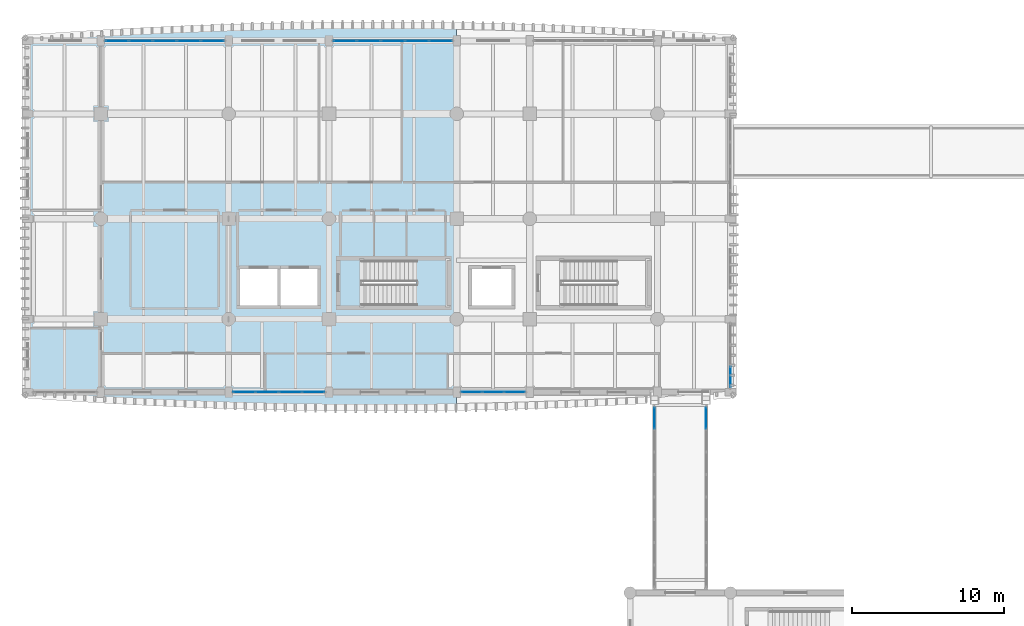
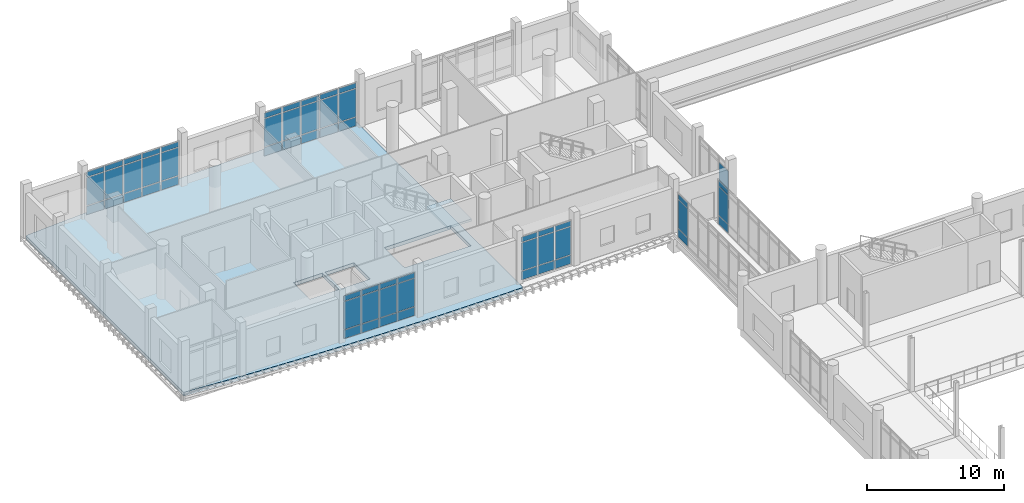
# One storey, part 52 of 101: 59 plates, 2 slabs, 8 elements without a shape of their own.
"""IFC4 building model written with IfcOpenShell, lengths in metres."""

from ifc_helpers import new_model, si_unit, direction, frame, origin, origin_2d, place, context, subcontext, project, spatial, polyline, rectangle, outline, extrude, material, layer, layer_set, type_object, element, aggregate, save


model = new_model("IFC4")

# Units and contexts
model_context = context("Model", 3, precision=1e-05, world=origin(), true_north=direction((0.0, 1.0)))
body_context = subcontext(model_context, "Body", "Model", "MODEL_VIEW")
ifc_project = project(units=[si_unit("LENGTHUNIT", "METRE"), si_unit("AREAUNIT", "SQUARE_METRE"), si_unit("VOLUMEUNIT", "CUBIC_METRE"), si_unit("PLANEANGLEUNIT", "RADIAN"), si_unit("MASSUNIT", "GRAM", prefix="KILO")], contexts=[model_context])

# Site, building, storey
site_placement = place(None, origin())
site = spatial("IfcSite", under=ifc_project, at=site_placement, CompositionType="ELEMENT")
building_placement = place(site_placement, origin())
building = spatial("IfcBuilding", under=site, at=building_placement, Name="Dornvale Research Institute", CompositionType="ELEMENT")
storey_placement = place(building_placement, frame((0.0, 0.0, 10.199951171875)))
storey = spatial("IfcBuildingStorey", under=building, at=storey_placement, Name="L02", CompositionType="ELEMENT", Elevation=10.199951171875)

# Curtain wall, plates
ifc_material_1 = material(Name="Low-E Argon Double Insulating Glazing Unit", Category="glass")
curtain_wall_type_1 = type_object("IfcCurtainWallType", Name="UnitisedCurtainWall_V5_7900x3950", PredefinedType="USERDEFINED", material=ifc_material_1)
curtain_wall_1_placement = place(storey_placement, origin())
curtain_wall_1 = element("IfcCurtainWall", 1, at=curtain_wall_1_placement, inside=storey, type_object=curtain_wall_type_1, Name="L02 V5 unitised curtain wall CW-24 #140", ObjectType="UNITISED CURTAIN WALL", PredefinedType="USERDEFINED")
ifc_material_2 = material(Name="Insulated Ceramic-Frit Spandrel Glass Panel", Category="glass")
ifc_layer_1 = layer(ifc_material_2, 0.0419921875)
ifc_layer_set_1 = layer_set([ifc_layer_1], Name="Insulated Ceramic-Frit Spandrel Glass Panel")
plate_type_1 = type_object("IfcPlateType", Name="CurtainPanel_Spandrel_42", PredefinedType="CURTAIN_PANEL", material=ifc_layer_set_1)
plate_1_placement = place(storey_placement, frame((5.856201171875, 122.10009765625, 0.065185546875), z_axis=(0.0, 0.0, 1.0), x_axis=(1.0, 0.0, 0.0)))
plate_1 = element("IfcPlate", 2, at=plate_1_placement, type_object=plate_type_1, Name="CW-24 panel 1.1", PredefinedType="CURTAIN_PANEL", context=body_context, shape_type="SweptSolid", body=[
    extrude(rectangle(XDim=1.482421875, YDim=0.0419921875, at=origin_2d()), origin(), (0.0, 0.0, 1.0), 0.75244140625),
])
plate_2_placement = place(storey_placement, frame((7.419921875, 122.10009765625, 0.065185546875), z_axis=(0.0, 0.0, 1.0), x_axis=(1.0, 0.0, 0.0)))
plate_2 = element("IfcPlate", 3, at=plate_2_placement, type_object=plate_type_1, Name="CW-24 panel 2.1", PredefinedType="CURTAIN_PANEL", context=body_context, shape_type="SweptSolid", body=[
    extrude(rectangle(XDim=1.514892578125, YDim=0.0419921875, at=origin_2d()), origin(), (0.0, 0.0, 1.0), 0.75244140625),
])
plate_3_placement = place(storey_placement, frame((9.0, 122.10009765625, 0.065185546875), z_axis=(0.0, 0.0, 1.0), x_axis=(1.0, 0.0, 0.0)))
plate_3 = element("IfcPlate", 4, at=plate_3_placement, type_object=plate_type_1, Name="CW-24 panel 3.1", PredefinedType="CURTAIN_PANEL", context=body_context, shape_type="SweptSolid", body=[
    extrude(rectangle(XDim=1.514892578125, YDim=0.0419921875, at=origin_2d()), origin(), (0.0, 0.0, 1.0), 0.75244140625),
])
plate_4_placement = place(storey_placement, frame((10.580078125, 122.10009765625, 0.065185546875), z_axis=(0.0, 0.0, 1.0), x_axis=(1.0, 0.0, 0.0)))
plate_4 = element("IfcPlate", 5, at=plate_4_placement, type_object=plate_type_1, Name="CW-24 panel 4.1", PredefinedType="CURTAIN_PANEL", context=body_context, shape_type="SweptSolid", body=[
    extrude(rectangle(XDim=1.514892578125, YDim=0.0419921875, at=origin_2d()), origin(), (0.0, 0.0, 1.0), 0.75244140625),
])
plate_5_placement = place(storey_placement, frame((12.143798828125, 122.10009765625, 0.065185546875), z_axis=(0.0, 0.0, 1.0), x_axis=(1.0, 0.0, 0.0)))
plate_5 = element("IfcPlate", 6, at=plate_5_placement, type_object=plate_type_1, Name="CW-24 panel 5.1", PredefinedType="CURTAIN_PANEL", context=body_context, shape_type="SweptSolid", body=[
    extrude(rectangle(XDim=1.482421875, YDim=0.0419921875, at=origin_2d()), origin(), (0.0, 0.0, 1.0), 0.75244140625),
])

curtain_wall_2_placement = place(storey_placement, origin())
curtain_wall_2 = element("IfcCurtainWall", 7, at=curtain_wall_2_placement, inside=storey, type_object=curtain_wall_type_1, Name="L02 V5 unitised curtain wall CW-24 #141", ObjectType="UNITISED CURTAIN WALL", PredefinedType="USERDEFINED")
plate_6_placement = place(storey_placement, frame((20.856201171875, 122.10009765625, 0.065185546875), z_axis=(0.0, 0.0, 1.0), x_axis=(1.0, 0.0, 0.0)))
plate_6 = element("IfcPlate", 8, at=plate_6_placement, type_object=plate_type_1, Name="CW-24 panel 1.1", PredefinedType="CURTAIN_PANEL", context=body_context, shape_type="SweptSolid", body=[
    extrude(rectangle(XDim=1.482421875, YDim=0.0419921875, at=origin_2d()), origin(), (0.0, 0.0, 1.0), 0.75244140625),
])
plate_7_placement = place(storey_placement, frame((22.419921875, 122.10009765625, 0.065185546875), z_axis=(0.0, 0.0, 1.0), x_axis=(1.0, 0.0, 0.0)))
plate_7 = element("IfcPlate", 9, at=plate_7_placement, type_object=plate_type_1, Name="CW-24 panel 2.1", PredefinedType="CURTAIN_PANEL", context=body_context, shape_type="SweptSolid", body=[
    extrude(rectangle(XDim=1.514892578125, YDim=0.0419921875, at=origin_2d()), origin(), (0.0, 0.0, 1.0), 0.75244140625),
])
plate_8_placement = place(storey_placement, frame((24.0, 122.10009765625, 0.065185546875), z_axis=(0.0, 0.0, 1.0), x_axis=(1.0, 0.0, 0.0)))
plate_8 = element("IfcPlate", 10, at=plate_8_placement, type_object=plate_type_1, Name="CW-24 panel 3.1", PredefinedType="CURTAIN_PANEL", context=body_context, shape_type="SweptSolid", body=[
    extrude(rectangle(XDim=1.514892578125, YDim=0.0419921875, at=origin_2d()), origin(), (0.0, 0.0, 1.0), 0.75244140625),
])
plate_9_placement = place(storey_placement, frame((25.580078125, 122.10009765625, 0.065185546875), z_axis=(0.0, 0.0, 1.0), x_axis=(1.0, 0.0, 0.0)))
plate_9 = element("IfcPlate", 11, at=plate_9_placement, type_object=plate_type_1, Name="CW-24 panel 4.1", PredefinedType="CURTAIN_PANEL", context=body_context, shape_type="SweptSolid", body=[
    extrude(rectangle(XDim=1.514892578125, YDim=0.0419921875, at=origin_2d()), origin(), (0.0, 0.0, 1.0), 0.75244140625),
])
plate_10_placement = place(storey_placement, frame((27.143798828125, 122.10009765625, 0.065185546875), z_axis=(0.0, 0.0, 1.0), x_axis=(1.0, 0.0, 0.0)))
plate_10 = element("IfcPlate", 12, at=plate_10_placement, type_object=plate_type_1, Name="CW-24 panel 5.1", PredefinedType="CURTAIN_PANEL", context=body_context, shape_type="SweptSolid", body=[
    extrude(rectangle(XDim=1.482421875, YDim=0.0419921875, at=origin_2d()), origin(), (0.0, 0.0, 1.0), 0.75244140625),
])

# Curtain wall, plate
ifc_material_3 = material(Name="Low-E Argon Double Insulating Glazing Unit", Category="glass")
curtain_wall_type_2 = type_object("IfcCurtainWallType", Name="UnitisedCurtainWall_V5_4300x3950", PredefinedType="USERDEFINED", material=ifc_material_3)
curtain_wall_3_placement = place(storey_placement, origin())
curtain_wall_3 = element("IfcCurtainWall", 13, at=curtain_wall_3_placement, inside=storey, type_object=curtain_wall_type_2, Name="L02 V5 unitised curtain wall CW-25 #144", ObjectType="UNITISED CURTAIN WALL", PredefinedType="USERDEFINED")
plate_11_placement = place(storey_placement, frame((46.199951171875, 99.98291015625, 0.065185546875), z_axis=(0.0, 0.0, 1.0), x_axis=(0.0, -1.0, 0.0)))
plate_11 = element("IfcPlate", 14, at=plate_11_placement, type_object=plate_type_1, Name="CW-25 panel 3.1", PredefinedType="CURTAIN_PANEL", context=body_context, shape_type="SweptSolid", body=[
    extrude(rectangle(XDim=1.3359375, YDim=0.0419921875, at=origin_2d()), origin(), (0.0, 0.0, 1.0), 0.75244140625),
])

# Curtain wall, plates
curtain_wall_4_placement = place(storey_placement, origin())
curtain_wall_4 = element("IfcCurtainWall", 15, at=curtain_wall_4_placement, inside=storey, type_object=curtain_wall_type_2, Name="L02 V5 unitised curtain wall CW-25 #145", ObjectType="UNITISED CURTAIN WALL", PredefinedType="USERDEFINED")
plate_12_placement = place(storey_placement, frame((32.01708984375, 99.0, 0.065185546875), z_axis=(0.0, 0.0, 1.0), x_axis=(-1.0, 0.0, 0.0)))
plate_12 = element("IfcPlate", 16, at=plate_12_placement, type_object=plate_type_1, Name="CW-25 panel 1.1", PredefinedType="CURTAIN_PANEL", context=body_context, shape_type="SweptSolid", body=[
    extrude(rectangle(XDim=1.3359375, YDim=0.0419921875, at=origin_2d()), origin(), (0.0, 0.0, 1.0), 0.75244140625),
])
plate_13_placement = place(storey_placement, frame((30.60009765625, 99.0, 0.065185546875), z_axis=(0.0, 0.0, 1.0), x_axis=(-1.0, 0.0, 0.0)))
plate_13 = element("IfcPlate", 17, at=plate_13_placement, type_object=plate_type_1, Name="CW-25 panel 2.1", PredefinedType="CURTAIN_PANEL", context=body_context, shape_type="SweptSolid", body=[
    extrude(rectangle(XDim=1.368408203125, YDim=0.0419921875, at=origin_2d()), origin(), (0.0, 0.0, 1.0), 0.75244140625),
])
plate_14_placement = place(storey_placement, frame((29.182861328125, 99.0, 0.065185546875), z_axis=(0.0, 0.0, 1.0), x_axis=(-1.0, 0.0, 0.0)))
plate_14 = element("IfcPlate", 18, at=plate_14_placement, type_object=plate_type_1, Name="CW-25 panel 3.1", PredefinedType="CURTAIN_PANEL", context=body_context, shape_type="SweptSolid", body=[
    extrude(rectangle(XDim=1.3359375, YDim=0.0419921875, at=origin_2d()), origin(), (0.0, 0.0, 1.0), 0.75244140625),
])

ifc_material_4 = material(Name="Low-E Argon Double Insulating Glazing Unit", Category="glass")
curtain_wall_type_3 = type_object("IfcCurtainWallType", Name="UnitisedCurtainWall_V5_6100x3950", PredefinedType="USERDEFINED", material=ifc_material_4)
curtain_wall_5_placement = place(storey_placement, origin())
curtain_wall_5 = element("IfcCurtainWall", 19, at=curtain_wall_5_placement, inside=storey, type_object=curtain_wall_type_3, Name="L02 V5 unitised curtain wall CW-26 #146", ObjectType="UNITISED CURTAIN WALL", PredefinedType="USERDEFINED")
plate_15_placement = place(storey_placement, frame((18.771240234375, 99.0, 0.065185546875), z_axis=(0.0, 0.0, 1.0), x_axis=(-1.0, 0.0, 0.0)))
plate_15 = element("IfcPlate", 20, at=plate_15_placement, type_object=plate_type_1, Name="CW-26 panel 1.1", PredefinedType="CURTAIN_PANEL", context=body_context, shape_type="SweptSolid", body=[
    extrude(rectangle(XDim=1.427490234375, YDim=0.0419921875, at=origin_2d()), origin(), (0.0, 0.0, 1.0), 0.75244140625),
])
plate_16_placement = place(storey_placement, frame((17.262451171875, 99.0, 0.065185546875), z_axis=(0.0, 0.0, 1.0), x_axis=(-1.0, 0.0, 0.0)))
plate_16 = element("IfcPlate", 21, at=plate_16_placement, type_object=plate_type_1, Name="CW-26 panel 2.1", PredefinedType="CURTAIN_PANEL", context=body_context, shape_type="SweptSolid", body=[
    extrude(rectangle(XDim=1.4599609375, YDim=0.0419921875, at=origin_2d()), origin(), (0.0, 0.0, 1.0), 0.75244140625),
])
plate_17_placement = place(storey_placement, frame((15.737548828125, 99.0, 0.065185546875), z_axis=(0.0, 0.0, 1.0), x_axis=(-1.0, 0.0, 0.0)))
plate_17 = element("IfcPlate", 22, at=plate_17_placement, type_object=plate_type_1, Name="CW-26 panel 3.1", PredefinedType="CURTAIN_PANEL", context=body_context, shape_type="SweptSolid", body=[
    extrude(rectangle(XDim=1.4599609375, YDim=0.0419921875, at=origin_2d()), origin(), (0.0, 0.0, 1.0), 0.75244140625),
])
plate_18_placement = place(storey_placement, frame((14.228759765625, 99.0, 0.065185546875), z_axis=(0.0, 0.0, 1.0), x_axis=(-1.0, 0.0, 0.0)))
plate_18 = element("IfcPlate", 23, at=plate_18_placement, type_object=plate_type_1, Name="CW-26 panel 4.1", PredefinedType="CURTAIN_PANEL", context=body_context, shape_type="SweptSolid", body=[
    extrude(rectangle(XDim=1.427490234375, YDim=0.0419921875, at=origin_2d()), origin(), (0.0, 0.0, 1.0), 0.75244140625),
])

# Curtain wall, plate
ifc_material_5 = material(Name="Low-E Argon Double Insulating Glazing Unit", Category="glass")
curtain_wall_type_4 = type_object("IfcCurtainWallType", Name="UnitisedCurtainWall_V2_11900x4000", PredefinedType="USERDEFINED", material=ifc_material_5)
curtain_wall_6_placement = place(storey_placement, origin())
curtain_wall_6 = element("IfcCurtainWall", 24, at=curtain_wall_6_placement, inside=storey, type_object=curtain_wall_type_4, Name="L02 V2 unitised curtain wall CW-40 #209", ObjectType="UNITISED CURTAIN WALL", PredefinedType="USERDEFINED")
plate_19_placement = place(storey_placement, frame((41.199951171875, 97.2900390625, 0.065185546875), z_axis=(0.0, 0.0, 1.0), x_axis=(0.0, 1.0, 0.0)))
plate_19 = element("IfcPlate", 25, at=plate_19_placement, type_object=plate_type_1, Name="CW-40 panel 8.1", PredefinedType="CURTAIN_PANEL", context=body_context, shape_type="SweptSolid", body=[
    extrude(rectangle(XDim=1.389892578125, YDim=0.0419921875, at=origin_2d()), origin(), (0.0, 0.0, 1.0), 0.75244140625),
])

curtain_wall_7_placement = place(storey_placement, origin())
curtain_wall_7 = element("IfcCurtainWall", 26, at=curtain_wall_7_placement, inside=storey, type_object=curtain_wall_type_4, Name="L02 V2 unitised curtain wall CW-40 #210", ObjectType="UNITISED CURTAIN WALL", PredefinedType="USERDEFINED")
plate_20_placement = place(storey_placement, frame((44.60009765625, 97.2900390625, 0.065185546875), z_axis=(0.0, 0.0, 1.0), x_axis=(0.0, -1.0, 0.0)))
plate_20 = element("IfcPlate", 27, at=plate_20_placement, type_object=plate_type_1, Name="CW-40 panel 1.1", PredefinedType="CURTAIN_PANEL", context=body_context, shape_type="SweptSolid", body=[
    extrude(rectangle(XDim=1.389892578125, YDim=0.0419921875, at=origin_2d()), origin(), (0.0, 0.0, 1.0), 0.75244140625),
])

# Plate
ifc_material_6 = material(Name="Low-E Argon Double Insulating Glazing Unit", Category="glass")
ifc_layer_2 = layer(ifc_material_6, 0.028076171875)
ifc_layer_set_2 = layer_set([ifc_layer_2], Name="Low-E Argon Double Insulating Glazing Unit")
plate_type_2 = type_object("IfcPlateType", Name="CurtainPanel_Vision_28", PredefinedType="CURTAIN_PANEL", material=ifc_layer_set_2)
plate_21_placement = place(storey_placement, frame((5.856201171875, 122.10009765625, 0.88232421875), z_axis=(0.0, 0.0, 1.0), x_axis=(1.0, 0.0, 0.0)))
plate_21 = element("IfcPlate", 28, at=plate_21_placement, type_object=plate_type_2, Name="CW-24 panel 1.2", PredefinedType="CURTAIN_PANEL", context=body_context, shape_type="SweptSolid", body=[
    extrude(rectangle(XDim=1.482421875, YDim=0.028076171875, at=origin_2d()), origin(), (0.0, 0.0, 1.0), 2.485107421875),
])

plate_22_placement = place(storey_placement, frame((5.856201171875, 122.10009765625, 3.4326171875), z_axis=(0.0, 0.0, 1.0), x_axis=(1.0, 0.0, 0.0)))
plate_22 = element("IfcPlate", 29, at=plate_22_placement, type_object=plate_type_2, Name="CW-24 panel 1.3", PredefinedType="CURTAIN_PANEL", context=body_context, shape_type="SweptSolid", body=[
    extrude(rectangle(XDim=1.482421875, YDim=0.028076171875, at=origin_2d()), origin(), (0.0, 0.0, 1.0), 0.452392578125),
])

plate_23_placement = place(storey_placement, frame((7.419921875, 122.10009765625, 0.88232421875), z_axis=(0.0, 0.0, 1.0), x_axis=(1.0, 0.0, 0.0)))
plate_23 = element("IfcPlate", 30, at=plate_23_placement, type_object=plate_type_2, Name="CW-24 panel 2.2", PredefinedType="CURTAIN_PANEL", context=body_context, shape_type="SweptSolid", body=[
    extrude(rectangle(XDim=1.514892578125, YDim=0.028076171875, at=origin_2d()), origin(), (0.0, 0.0, 1.0), 2.485107421875),
])

plate_24_placement = place(storey_placement, frame((7.419921875, 122.10009765625, 3.4326171875), z_axis=(0.0, 0.0, 1.0), x_axis=(1.0, 0.0, 0.0)))
plate_24 = element("IfcPlate", 31, at=plate_24_placement, type_object=plate_type_2, Name="CW-24 panel 2.3", PredefinedType="CURTAIN_PANEL", context=body_context, shape_type="SweptSolid", body=[
    extrude(rectangle(XDim=1.514892578125, YDim=0.028076171875, at=origin_2d()), origin(), (0.0, 0.0, 1.0), 0.452392578125),
])

plate_25_placement = place(storey_placement, frame((9.0, 122.10009765625, 0.88232421875), z_axis=(0.0, 0.0, 1.0), x_axis=(1.0, 0.0, 0.0)))
plate_25 = element("IfcPlate", 32, at=plate_25_placement, type_object=plate_type_2, Name="CW-24 panel 3.2", PredefinedType="CURTAIN_PANEL", context=body_context, shape_type="SweptSolid", body=[
    extrude(rectangle(XDim=1.514892578125, YDim=0.028076171875, at=origin_2d()), origin(), (0.0, 0.0, 1.0), 2.485107421875),
])

plate_26_placement = place(storey_placement, frame((9.0, 122.10009765625, 3.4326171875), z_axis=(0.0, 0.0, 1.0), x_axis=(1.0, 0.0, 0.0)))
plate_26 = element("IfcPlate", 33, at=plate_26_placement, type_object=plate_type_2, Name="CW-24 panel 3.3", PredefinedType="CURTAIN_PANEL", context=body_context, shape_type="SweptSolid", body=[
    extrude(rectangle(XDim=1.514892578125, YDim=0.028076171875, at=origin_2d()), origin(), (0.0, 0.0, 1.0), 0.452392578125),
])

plate_27_placement = place(storey_placement, frame((10.580078125, 122.10009765625, 0.88232421875), z_axis=(0.0, 0.0, 1.0), x_axis=(1.0, 0.0, 0.0)))
plate_27 = element("IfcPlate", 34, at=plate_27_placement, type_object=plate_type_2, Name="CW-24 panel 4.2", PredefinedType="CURTAIN_PANEL", context=body_context, shape_type="SweptSolid", body=[
    extrude(rectangle(XDim=1.514892578125, YDim=0.028076171875, at=origin_2d()), origin(), (0.0, 0.0, 1.0), 2.485107421875),
])

plate_28_placement = place(storey_placement, frame((10.580078125, 122.10009765625, 3.4326171875), z_axis=(0.0, 0.0, 1.0), x_axis=(1.0, 0.0, 0.0)))
plate_28 = element("IfcPlate", 35, at=plate_28_placement, type_object=plate_type_2, Name="CW-24 panel 4.3", PredefinedType="CURTAIN_PANEL", context=body_context, shape_type="SweptSolid", body=[
    extrude(rectangle(XDim=1.514892578125, YDim=0.028076171875, at=origin_2d()), origin(), (0.0, 0.0, 1.0), 0.452392578125),
])

plate_29_placement = place(storey_placement, frame((12.143798828125, 122.10009765625, 0.88232421875), z_axis=(0.0, 0.0, 1.0), x_axis=(1.0, 0.0, 0.0)))
plate_29 = element("IfcPlate", 36, at=plate_29_placement, type_object=plate_type_2, Name="CW-24 panel 5.2", PredefinedType="CURTAIN_PANEL", context=body_context, shape_type="SweptSolid", body=[
    extrude(rectangle(XDim=1.482421875, YDim=0.028076171875, at=origin_2d()), origin(), (0.0, 0.0, 1.0), 2.485107421875),
])

plate_30_placement = place(storey_placement, frame((12.143798828125, 122.10009765625, 3.4326171875), z_axis=(0.0, 0.0, 1.0), x_axis=(1.0, 0.0, 0.0)))
plate_30 = element("IfcPlate", 37, at=plate_30_placement, type_object=plate_type_2, Name="CW-24 panel 5.3", PredefinedType="CURTAIN_PANEL", context=body_context, shape_type="SweptSolid", body=[
    extrude(rectangle(XDim=1.482421875, YDim=0.028076171875, at=origin_2d()), origin(), (0.0, 0.0, 1.0), 0.452392578125),
])

aggregate(curtain_wall_1, [plate_1, plate_21, plate_22, plate_2, plate_23, plate_24, plate_3, plate_25, plate_26, plate_4, plate_27, plate_28, plate_5, plate_29, plate_30])

plate_31_placement = place(storey_placement, frame((20.856201171875, 122.10009765625, 0.88232421875), z_axis=(0.0, 0.0, 1.0), x_axis=(1.0, 0.0, 0.0)))
plate_31 = element("IfcPlate", 38, at=plate_31_placement, type_object=plate_type_2, Name="CW-24 panel 1.2", PredefinedType="CURTAIN_PANEL", context=body_context, shape_type="SweptSolid", body=[
    extrude(rectangle(XDim=1.482421875, YDim=0.028076171875, at=origin_2d()), origin(), (0.0, 0.0, 1.0), 2.485107421875),
])

plate_32_placement = place(storey_placement, frame((20.856201171875, 122.10009765625, 3.4326171875), z_axis=(0.0, 0.0, 1.0), x_axis=(1.0, 0.0, 0.0)))
plate_32 = element("IfcPlate", 39, at=plate_32_placement, type_object=plate_type_2, Name="CW-24 panel 1.3", PredefinedType="CURTAIN_PANEL", context=body_context, shape_type="SweptSolid", body=[
    extrude(rectangle(XDim=1.482421875, YDim=0.028076171875, at=origin_2d()), origin(), (0.0, 0.0, 1.0), 0.452392578125),
])

plate_33_placement = place(storey_placement, frame((22.419921875, 122.10009765625, 0.88232421875), z_axis=(0.0, 0.0, 1.0), x_axis=(1.0, 0.0, 0.0)))
plate_33 = element("IfcPlate", 40, at=plate_33_placement, type_object=plate_type_2, Name="CW-24 panel 2.2", PredefinedType="CURTAIN_PANEL", context=body_context, shape_type="SweptSolid", body=[
    extrude(rectangle(XDim=1.514892578125, YDim=0.028076171875, at=origin_2d()), origin(), (0.0, 0.0, 1.0), 2.485107421875),
])

plate_34_placement = place(storey_placement, frame((22.419921875, 122.10009765625, 3.4326171875), z_axis=(0.0, 0.0, 1.0), x_axis=(1.0, 0.0, 0.0)))
plate_34 = element("IfcPlate", 41, at=plate_34_placement, type_object=plate_type_2, Name="CW-24 panel 2.3", PredefinedType="CURTAIN_PANEL", context=body_context, shape_type="SweptSolid", body=[
    extrude(rectangle(XDim=1.514892578125, YDim=0.028076171875, at=origin_2d()), origin(), (0.0, 0.0, 1.0), 0.452392578125),
])

plate_35_placement = place(storey_placement, frame((24.0, 122.10009765625, 0.88232421875), z_axis=(0.0, 0.0, 1.0), x_axis=(1.0, 0.0, 0.0)))
plate_35 = element("IfcPlate", 42, at=plate_35_placement, type_object=plate_type_2, Name="CW-24 panel 3.2", PredefinedType="CURTAIN_PANEL", context=body_context, shape_type="SweptSolid", body=[
    extrude(rectangle(XDim=1.514892578125, YDim=0.028076171875, at=origin_2d()), origin(), (0.0, 0.0, 1.0), 2.485107421875),
])

plate_36_placement = place(storey_placement, frame((24.0, 122.10009765625, 3.4326171875), z_axis=(0.0, 0.0, 1.0), x_axis=(1.0, 0.0, 0.0)))
plate_36 = element("IfcPlate", 43, at=plate_36_placement, type_object=plate_type_2, Name="CW-24 panel 3.3", PredefinedType="CURTAIN_PANEL", context=body_context, shape_type="SweptSolid", body=[
    extrude(rectangle(XDim=1.514892578125, YDim=0.028076171875, at=origin_2d()), origin(), (0.0, 0.0, 1.0), 0.452392578125),
])

plate_37_placement = place(storey_placement, frame((25.580078125, 122.10009765625, 0.88232421875), z_axis=(0.0, 0.0, 1.0), x_axis=(1.0, 0.0, 0.0)))
plate_37 = element("IfcPlate", 44, at=plate_37_placement, type_object=plate_type_2, Name="CW-24 panel 4.2", PredefinedType="CURTAIN_PANEL", context=body_context, shape_type="SweptSolid", body=[
    extrude(rectangle(XDim=1.514892578125, YDim=0.028076171875, at=origin_2d()), origin(), (0.0, 0.0, 1.0), 2.485107421875),
])

plate_38_placement = place(storey_placement, frame((25.580078125, 122.10009765625, 3.4326171875), z_axis=(0.0, 0.0, 1.0), x_axis=(1.0, 0.0, 0.0)))
plate_38 = element("IfcPlate", 45, at=plate_38_placement, type_object=plate_type_2, Name="CW-24 panel 4.3", PredefinedType="CURTAIN_PANEL", context=body_context, shape_type="SweptSolid", body=[
    extrude(rectangle(XDim=1.514892578125, YDim=0.028076171875, at=origin_2d()), origin(), (0.0, 0.0, 1.0), 0.452392578125),
])

plate_39_placement = place(storey_placement, frame((27.143798828125, 122.10009765625, 0.88232421875), z_axis=(0.0, 0.0, 1.0), x_axis=(1.0, 0.0, 0.0)))
plate_39 = element("IfcPlate", 46, at=plate_39_placement, type_object=plate_type_2, Name="CW-24 panel 5.2", PredefinedType="CURTAIN_PANEL", context=body_context, shape_type="SweptSolid", body=[
    extrude(rectangle(XDim=1.482421875, YDim=0.028076171875, at=origin_2d()), origin(), (0.0, 0.0, 1.0), 2.485107421875),
])

plate_40_placement = place(storey_placement, frame((27.143798828125, 122.10009765625, 3.4326171875), z_axis=(0.0, 0.0, 1.0), x_axis=(1.0, 0.0, 0.0)))
plate_40 = element("IfcPlate", 47, at=plate_40_placement, type_object=plate_type_2, Name="CW-24 panel 5.3", PredefinedType="CURTAIN_PANEL", context=body_context, shape_type="SweptSolid", body=[
    extrude(rectangle(XDim=1.482421875, YDim=0.028076171875, at=origin_2d()), origin(), (0.0, 0.0, 1.0), 0.452392578125),
])

aggregate(curtain_wall_2, [plate_6, plate_31, plate_32, plate_7, plate_33, plate_34, plate_8, plate_35, plate_36, plate_9, plate_37, plate_38, plate_10, plate_39, plate_40])

plate_41_placement = place(storey_placement, frame((46.199951171875, 99.98291015625, 0.88232421875), z_axis=(0.0, 0.0, 1.0), x_axis=(0.0, -1.0, 0.0)))
plate_41 = element("IfcPlate", 48, at=plate_41_placement, type_object=plate_type_2, Name="CW-25 panel 3.2", PredefinedType="CURTAIN_PANEL", context=body_context, shape_type="SweptSolid", body=[
    extrude(rectangle(XDim=1.3359375, YDim=0.028076171875, at=origin_2d()), origin(), (0.0, 0.0, 1.0), 2.485107421875),
])

aggregate(curtain_wall_3, [plate_11, plate_41])

plate_42_placement = place(storey_placement, frame((32.01708984375, 99.0, 0.88232421875), z_axis=(0.0, 0.0, 1.0), x_axis=(-1.0, 0.0, 0.0)))
plate_42 = element("IfcPlate", 49, at=plate_42_placement, type_object=plate_type_2, Name="CW-25 panel 1.2", PredefinedType="CURTAIN_PANEL", context=body_context, shape_type="SweptSolid", body=[
    extrude(rectangle(XDim=1.3359375, YDim=0.028076171875, at=origin_2d()), origin(), (0.0, 0.0, 1.0), 2.485107421875),
])

plate_43_placement = place(storey_placement, frame((32.01708984375, 99.0, 3.4326171875), z_axis=(0.0, 0.0, 1.0), x_axis=(-1.0, 0.0, 0.0)))
plate_43 = element("IfcPlate", 50, at=plate_43_placement, type_object=plate_type_2, Name="CW-25 panel 1.3", PredefinedType="CURTAIN_PANEL", context=body_context, shape_type="SweptSolid", body=[
    extrude(rectangle(XDim=1.3359375, YDim=0.028076171875, at=origin_2d()), origin(), (0.0, 0.0, 1.0), 0.452392578125),
])

plate_44_placement = place(storey_placement, frame((30.60009765625, 99.0, 0.88232421875), z_axis=(0.0, 0.0, 1.0), x_axis=(-1.0, 0.0, 0.0)))
plate_44 = element("IfcPlate", 51, at=plate_44_placement, type_object=plate_type_2, Name="CW-25 panel 2.2", PredefinedType="CURTAIN_PANEL", context=body_context, shape_type="SweptSolid", body=[
    extrude(rectangle(XDim=1.368408203125, YDim=0.028076171875, at=origin_2d()), origin(), (0.0, 0.0, 1.0), 2.485107421875),
])

plate_45_placement = place(storey_placement, frame((30.60009765625, 99.0, 3.4326171875), z_axis=(0.0, 0.0, 1.0), x_axis=(-1.0, 0.0, 0.0)))
plate_45 = element("IfcPlate", 52, at=plate_45_placement, type_object=plate_type_2, Name="CW-25 panel 2.3", PredefinedType="CURTAIN_PANEL", context=body_context, shape_type="SweptSolid", body=[
    extrude(rectangle(XDim=1.368408203125, YDim=0.028076171875, at=origin_2d()), origin(), (0.0, 0.0, 1.0), 0.452392578125),
])

plate_46_placement = place(storey_placement, frame((29.182861328125, 99.0, 0.88232421875), z_axis=(0.0, 0.0, 1.0), x_axis=(-1.0, 0.0, 0.0)))
plate_46 = element("IfcPlate", 53, at=plate_46_placement, type_object=plate_type_2, Name="CW-25 panel 3.2", PredefinedType="CURTAIN_PANEL", context=body_context, shape_type="SweptSolid", body=[
    extrude(rectangle(XDim=1.3359375, YDim=0.028076171875, at=origin_2d()), origin(), (0.0, 0.0, 1.0), 2.485107421875),
])

plate_47_placement = place(storey_placement, frame((29.182861328125, 99.0, 3.4326171875), z_axis=(0.0, 0.0, 1.0), x_axis=(-1.0, 0.0, 0.0)))
plate_47 = element("IfcPlate", 54, at=plate_47_placement, type_object=plate_type_2, Name="CW-25 panel 3.3", PredefinedType="CURTAIN_PANEL", context=body_context, shape_type="SweptSolid", body=[
    extrude(rectangle(XDim=1.3359375, YDim=0.028076171875, at=origin_2d()), origin(), (0.0, 0.0, 1.0), 0.452392578125),
])

aggregate(curtain_wall_4, [plate_12, plate_42, plate_43, plate_13, plate_44, plate_45, plate_14, plate_46, plate_47])

plate_48_placement = place(storey_placement, frame((18.771240234375, 99.0, 0.88232421875), z_axis=(0.0, 0.0, 1.0), x_axis=(-1.0, 0.0, 0.0)))
plate_48 = element("IfcPlate", 55, at=plate_48_placement, type_object=plate_type_2, Name="CW-26 panel 1.2", PredefinedType="CURTAIN_PANEL", context=body_context, shape_type="SweptSolid", body=[
    extrude(rectangle(XDim=1.427490234375, YDim=0.028076171875, at=origin_2d()), origin(), (0.0, 0.0, 1.0), 2.485107421875),
])

plate_49_placement = place(storey_placement, frame((18.771240234375, 99.0, 3.4326171875), z_axis=(0.0, 0.0, 1.0), x_axis=(-1.0, 0.0, 0.0)))
plate_49 = element("IfcPlate", 56, at=plate_49_placement, type_object=plate_type_2, Name="CW-26 panel 1.3", PredefinedType="CURTAIN_PANEL", context=body_context, shape_type="SweptSolid", body=[
    extrude(rectangle(XDim=1.427490234375, YDim=0.028076171875, at=origin_2d()), origin(), (0.0, 0.0, 1.0), 0.452392578125),
])

plate_50_placement = place(storey_placement, frame((17.262451171875, 99.0, 0.88232421875), z_axis=(0.0, 0.0, 1.0), x_axis=(-1.0, 0.0, 0.0)))
plate_50 = element("IfcPlate", 57, at=plate_50_placement, type_object=plate_type_2, Name="CW-26 panel 2.2", PredefinedType="CURTAIN_PANEL", context=body_context, shape_type="SweptSolid", body=[
    extrude(rectangle(XDim=1.4599609375, YDim=0.028076171875, at=origin_2d()), origin(), (0.0, 0.0, 1.0), 2.485107421875),
])

plate_51_placement = place(storey_placement, frame((17.262451171875, 99.0, 3.4326171875), z_axis=(0.0, 0.0, 1.0), x_axis=(-1.0, 0.0, 0.0)))
plate_51 = element("IfcPlate", 58, at=plate_51_placement, type_object=plate_type_2, Name="CW-26 panel 2.3", PredefinedType="CURTAIN_PANEL", context=body_context, shape_type="SweptSolid", body=[
    extrude(rectangle(XDim=1.4599609375, YDim=0.028076171875, at=origin_2d()), origin(), (0.0, 0.0, 1.0), 0.452392578125),
])

plate_52_placement = place(storey_placement, frame((15.737548828125, 99.0, 0.88232421875), z_axis=(0.0, 0.0, 1.0), x_axis=(-1.0, 0.0, 0.0)))
plate_52 = element("IfcPlate", 59, at=plate_52_placement, type_object=plate_type_2, Name="CW-26 panel 3.2", PredefinedType="CURTAIN_PANEL", context=body_context, shape_type="SweptSolid", body=[
    extrude(rectangle(XDim=1.4599609375, YDim=0.028076171875, at=origin_2d()), origin(), (0.0, 0.0, 1.0), 2.485107421875),
])

plate_53_placement = place(storey_placement, frame((15.737548828125, 99.0, 3.4326171875), z_axis=(0.0, 0.0, 1.0), x_axis=(-1.0, 0.0, 0.0)))
plate_53 = element("IfcPlate", 60, at=plate_53_placement, type_object=plate_type_2, Name="CW-26 panel 3.3", PredefinedType="CURTAIN_PANEL", context=body_context, shape_type="SweptSolid", body=[
    extrude(rectangle(XDim=1.4599609375, YDim=0.028076171875, at=origin_2d()), origin(), (0.0, 0.0, 1.0), 0.452392578125),
])

plate_54_placement = place(storey_placement, frame((14.228759765625, 99.0, 0.88232421875), z_axis=(0.0, 0.0, 1.0), x_axis=(-1.0, 0.0, 0.0)))
plate_54 = element("IfcPlate", 61, at=plate_54_placement, type_object=plate_type_2, Name="CW-26 panel 4.2", PredefinedType="CURTAIN_PANEL", context=body_context, shape_type="SweptSolid", body=[
    extrude(rectangle(XDim=1.427490234375, YDim=0.028076171875, at=origin_2d()), origin(), (0.0, 0.0, 1.0), 2.485107421875),
])

plate_55_placement = place(storey_placement, frame((14.228759765625, 99.0, 3.4326171875), z_axis=(0.0, 0.0, 1.0), x_axis=(-1.0, 0.0, 0.0)))
plate_55 = element("IfcPlate", 62, at=plate_55_placement, type_object=plate_type_2, Name="CW-26 panel 4.3", PredefinedType="CURTAIN_PANEL", context=body_context, shape_type="SweptSolid", body=[
    extrude(rectangle(XDim=1.427490234375, YDim=0.028076171875, at=origin_2d()), origin(), (0.0, 0.0, 1.0), 0.452392578125),
])

aggregate(curtain_wall_5, [plate_15, plate_48, plate_49, plate_16, plate_50, plate_51, plate_17, plate_52, plate_53, plate_18, plate_54, plate_55])

plate_56_placement = place(storey_placement, frame((41.199951171875, 97.2900390625, 0.8828125), z_axis=(0.0, 0.0, 1.0), x_axis=(0.0, 1.0, 0.0)))
plate_56 = element("IfcPlate", 63, at=plate_56_placement, type_object=plate_type_2, Name="CW-40 panel 8.2", PredefinedType="CURTAIN_PANEL", context=body_context, shape_type="SweptSolid", body=[
    extrude(rectangle(XDim=1.389892578125, YDim=0.028076171875, at=origin_2d()), origin(), (0.0, 0.0, 1.0), 2.534912109375),
])

plate_57_placement = place(storey_placement, frame((41.199951171875, 97.2900390625, 3.482421875), z_axis=(0.0, 0.0, 1.0), x_axis=(0.0, 1.0, 0.0)))
plate_57 = element("IfcPlate", 64, at=plate_57_placement, type_object=plate_type_2, Name="CW-40 panel 8.3", PredefinedType="CURTAIN_PANEL", context=body_context, shape_type="SweptSolid", body=[
    extrude(rectangle(XDim=1.389892578125, YDim=0.028076171875, at=origin_2d()), origin(), (0.0, 0.0, 1.0), 0.452392578125),
])

aggregate(curtain_wall_6, [plate_19, plate_56, plate_57])

plate_58_placement = place(storey_placement, frame((44.60009765625, 97.2900390625, 0.8828125), z_axis=(0.0, 0.0, 1.0), x_axis=(0.0, -1.0, 0.0)))
plate_58 = element("IfcPlate", 65, at=plate_58_placement, type_object=plate_type_2, Name="CW-40 panel 1.2", PredefinedType="CURTAIN_PANEL", context=body_context, shape_type="SweptSolid", body=[
    extrude(rectangle(XDim=1.389892578125, YDim=0.028076171875, at=origin_2d()), origin(), (0.0, 0.0, 1.0), 2.534912109375),
])

plate_59_placement = place(storey_placement, frame((44.60009765625, 97.2900390625, 3.482421875), z_axis=(0.0, 0.0, 1.0), x_axis=(0.0, -1.0, 0.0)))
plate_59 = element("IfcPlate", 66, at=plate_59_placement, type_object=plate_type_2, Name="CW-40 panel 1.3", PredefinedType="CURTAIN_PANEL", context=body_context, shape_type="SweptSolid", body=[
    extrude(rectangle(XDim=1.389892578125, YDim=0.028076171875, at=origin_2d()), origin(), (0.0, 0.0, 1.0), 0.452392578125),
])

aggregate(curtain_wall_7, [plate_20, plate_58, plate_59])

# Slab
ifc_material_7 = material(Name="Concrete f'c 45 MPa (C35/45)", Category="concrete")
ifc_layer_3 = layer(ifc_material_7, 0.320068359375)
ifc_layer_set_3 = layer_set([ifc_layer_3], Name="Concrete f'c 45 MPa (C35/45)")
slab_type_1 = type_object("IfcSlabType", Name="FloorSlab_Lab_320", PredefinedType="FLOOR", material=ifc_layer_set_3)
slab_1_placement = place(storey_placement, frame((0.0, 0.0, -0.320068359375)))
element("IfcSlab", 67, at=slab_1_placement, inside=storey, type_object=slab_type_1, Name="L02 V5 W floor slab", PredefinedType="FLOOR", context=body_context, shape_type="SweptSolid", body=[
    extrude(outline(polyline([(28.050048828125, 98.18896484375), (26.39990234375, 98.167236328125), (24.75, 98.154296875), (23.10009765625, 98.14990234375), (21.449951171875, 98.154296875), (19.800048828125, 98.167236328125), (18.14990234375, 98.18896484375), (16.5, 98.219482421875), (14.85009765625, 98.25830078125), (13.199951171875, 98.30615234375), (11.550048828125, 98.362548828125), (9.89990234375, 98.427490234375), (8.25, 98.501220703125), (6.60009765625, 98.583740234375), (4.949951171875, 98.6748046875), (3.300048828125, 98.7744140625), (1.64990234375, 98.8828125), (0.0, 99.0), (0.0, 122.10009765625), (1.64990234375, 122.217041015625), (3.300048828125, 122.325439453125), (4.949951171875, 122.42529296875), (6.60009765625, 122.516357421875), (8.25, 122.5986328125), (9.89990234375, 122.67236328125), (11.550048828125, 122.737548828125), (13.199951171875, 122.7939453125), (14.85009765625, 122.841552734375), (16.5, 122.880615234375), (18.14990234375, 122.910888671875), (19.800048828125, 122.9326171875), (21.449951171875, 122.94580078125), (23.10009765625, 122.949951171875), (24.75, 122.94580078125), (26.39990234375, 122.9326171875), (28.050048828125, 122.910888671875), (28.199951171875, 122.908203125), (28.199951171875, 98.19189453125), (28.050048828125, 98.18896484375)]), holes=[polyline([(21.949951171875, 104.699951171875), (27.550048828125, 104.699951171875), (27.550048828125, 107.659912109375), (21.949951171875, 107.659912109375), (21.949951171875, 104.699951171875)]), polyline([(13.949951171875, 104.699951171875), (16.39990234375, 104.699951171875), (16.39990234375, 107.10009765625), (13.949951171875, 107.10009765625), (13.949951171875, 104.699951171875)]), polyline([(16.60009765625, 104.699951171875), (19.050048828125, 104.699951171875), (19.050048828125, 107.10009765625), (16.60009765625, 107.10009765625), (16.60009765625, 104.699951171875)])]), origin(), (0.0, 0.0, 1.0), 0.320068359375),
])

# Stair, slab
ifc_material_8 = material(Name="Concrete f'c 45 MPa (C35/45)", Category="concrete")
stair_type = type_object("IfcStairType", Name="HalfTurnStair_RC", PredefinedType="HALF_TURN_STAIR", material=ifc_material_8)
stair_placement = place(storey_placement, origin())
stair = element("IfcStair", 68, at=stair_placement, inside=storey, type_object=stair_type, Name="L02 Exit stair ST-1", PredefinedType="HALF_TURN_STAIR")
ifc_material_9 = material(Name="Concrete f'c 45 MPa (C35/45)", Category="concrete")
ifc_layer_4 = layer(ifc_material_9, 0.199951171875)
ifc_layer_set_4 = layer_set([ifc_layer_4], Name="Concrete f'c 45 MPa (C35/45)")
slab_type_2 = type_object("IfcSlabType", Name="Landing_Stair_200", PredefinedType="LANDING", material=ifc_layer_set_4)
slab_2_placement = place(storey_placement, frame((0.0, 0.0, 2.199951171875)))
slab_2 = element("IfcSlab", 69, at=slab_2_placement, type_object=slab_type_2, Name="ST-1 landing 1", PredefinedType="LANDING", context=body_context, shape_type="SweptSolid", body=[
    extrude(outline(polyline([(25.56005859375, 104.669921875), (25.56005859375, 107.68994140625), (27.580078125, 107.68994140625), (27.580078125, 104.669921875), (25.56005859375, 104.669921875)])), origin(), (0.0, 0.0, 1.0), 0.2001953125),
])
aggregate(stair, [slab_2])

save(model, "model.ifc")
